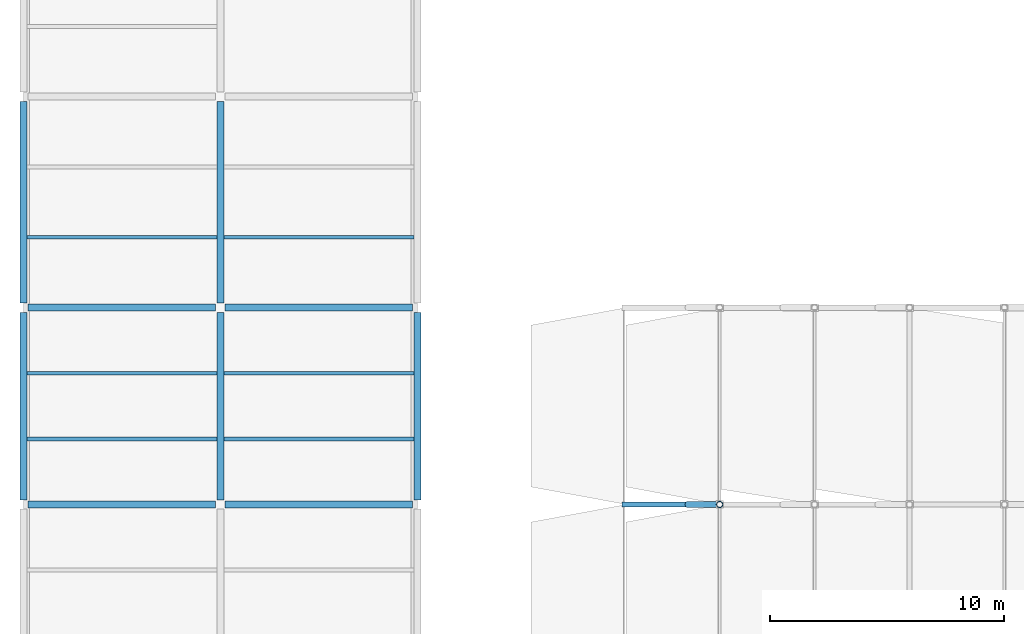
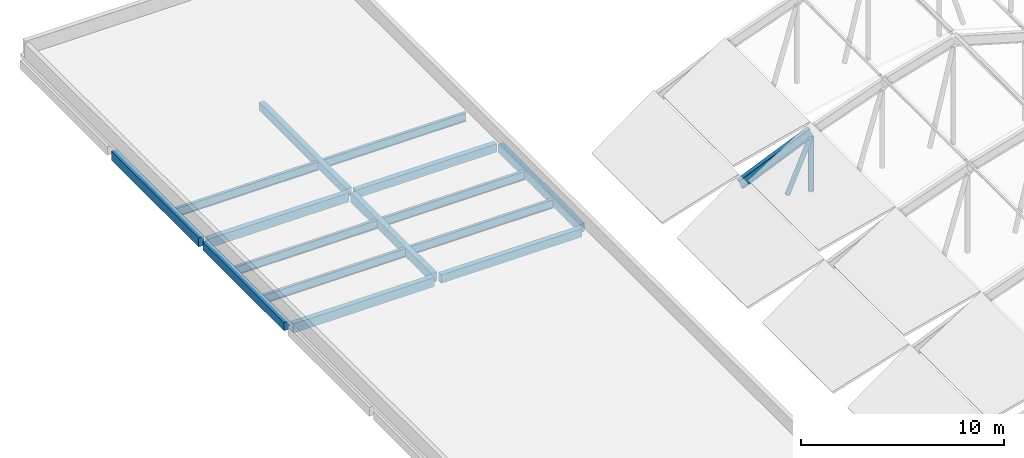
# One storey, part 7 of 22: 16 beams, 2 members.
"""IFC4 building model written with IfcOpenShell, lengths in metres."""

from ifc_helpers import new_model, si_unit, direction, frame, origin, origin_2d, place, context, subcontext, project, spatial, rectangle, hollow_circle, i_section, extrude, material, material_profile, profile_set, type_object, element, save


model = new_model("IFC4")

# Units and contexts
model_context = context("Model", 3, precision=1e-05, world=origin(), true_north=direction((0.0, 1.0)))
body_context = subcontext(model_context, "Body", "Model", "MODEL_VIEW")
ifc_project = project(units=[si_unit("LENGTHUNIT", "METRE"), si_unit("AREAUNIT", "SQUARE_METRE"), si_unit("VOLUMEUNIT", "CUBIC_METRE"), si_unit("PLANEANGLEUNIT", "RADIAN"), si_unit("MASSUNIT", "GRAM", prefix="KILO")], contexts=[model_context])

# Site, building, storey
site_placement = place(None, origin())
site = spatial("IfcSite", under=ifc_project, at=site_placement, CompositionType="ELEMENT")
building_placement = place(site_placement, origin())
building = spatial("IfcBuilding", under=site, at=building_placement, Name="Vireocrest Preparatory School", CompositionType="ELEMENT")
storey_placement = place(building_placement, frame((0.0, 0.0, 25.800048828125)))
storey = spatial("IfcBuildingStorey", under=building, at=storey_placement, Name="RF", CompositionType="ELEMENT", Elevation=25.800048828125)

# Beams
ifc_material_1 = material(Name="Structural steel ASTM A992 Grade 50", Category="steel")
ifc_material_profile_1 = material_profile(ifc_material_1, i_section(OverallWidth=0.22802734375, OverallDepth=0.60302734375, WebThickness=0.010498046875, FlangeThickness=0.014892578125, FilletRadius=0.01611328125, at=origin_2d()), Name="W24X68")
ifc_profile_set_1 = profile_set([ifc_material_profile_1], Name="Structural steel ASTM A992 Grade 50")
beam_type_1 = type_object("IfcBeamType", Name="Dining Pavilion Roof Girder W24X68", PredefinedType="BEAM", material=ifc_profile_set_1)
beam_1_placement = place(storey_placement, frame((67.64990234375, 77.39990234375, -0.8056640625), z_axis=(0.918795164694, 0.0, 0.394734651804), x_axis=(0.0, 1.0, 0.0)))
element("IfcBeam", 1, at=beam_1_placement, inside=storey, type_object=beam_type_1, Name="Canopy Rafter Chord SB4-7-2", PredefinedType="BEAM", context=body_context, shape_type="SweptSolid", body=[
    extrude(i_section(OverallWidth=0.22802734375, OverallDepth=0.60302734375, WebThickness=0.010498046875, FlangeThickness=0.014892578125, FilletRadius=0.01611328125, at=origin_2d()), origin(), (0.0, 0.0, 1.0), 4.407958984375),
])
ifc_material_profile_2 = material_profile(ifc_material_1, i_section(OverallWidth=0.166015625, OverallDepth=0.529052734375, WebThickness=0.009765625, FlangeThickness=0.013671875, FilletRadius=0.014892578125, at=origin_2d()), Name="W21X50")
ifc_profile_set_2 = profile_set([ifc_material_profile_2], Name="Structural steel ASTM A992 Grade 50")
beam_type_2 = type_object("IfcBeamType", Name="Pavilion Roof Joist W21X50", PredefinedType="JOIST", material=ifc_profile_set_2)
for number, where, z_axis, x_axis, name in (
    (2, (42.14990234375, 80.199951171875, -0.484619140625), (1.0, 0.0, 0.0), (0.0, 1.0, 0.0), "Secondary Joist SJ1 RF-1733"),
    (3, (42.14990234375, 83.0, -0.484619140625), (1.0, 0.0, 0.0), (0.0, 1.0, 0.0), "Secondary Joist SJ1 RF-1734"),
    (4, (42.14990234375, 88.800048828125, -0.484619140625), (1.0, 0.0, 0.0), (0.0, 1.0, 0.0), "Secondary Joist SJ1 RF-1735"),
):
    element("IfcBeam", number, at=place(storey_placement, frame(where, z_axis=z_axis, x_axis=x_axis)), inside=storey, type_object=beam_type_2, Name=name, PredefinedType="JOIST", context=body_context, shape_type="SweptSolid", body=[
        extrude(i_section(OverallWidth=0.166015625, OverallDepth=0.529052734375, WebThickness=0.009765625, FlangeThickness=0.013671875, FilletRadius=0.014892578125, at=origin_2d()), origin(), (0.0, 0.0, 1.0), 8.10009765625),
    ])
for number, where, z_axis, x_axis, name in (
    (5, (50.550048828125, 80.199951171875, -0.484619140625), (1.0, 0.0, 0.0), (0.0, 1.0, 0.0), "Secondary Joist SJ1 RF-1745"),
    (6, (50.550048828125, 83.0, -0.484619140625), (1.0, 0.0, 0.0), (0.0, 1.0, 0.0), "Secondary Joist SJ1 RF-1746"),
    (7, (50.550048828125, 88.800048828125, -0.484619140625), (1.0, 0.0, 0.0), (0.0, 1.0, 0.0), "Secondary Joist SJ1 RF-1747"),
):
    element("IfcBeam", number, at=place(storey_placement, frame(where, z_axis=z_axis, x_axis=x_axis)), inside=storey, type_object=beam_type_2, Name=name, PredefinedType="JOIST", context=body_context, shape_type="SweptSolid", body=[
        extrude(i_section(OverallWidth=0.166015625, OverallDepth=0.529052734375, WebThickness=0.009765625, FlangeThickness=0.013671875, FilletRadius=0.014892578125, at=origin_2d()), origin(), (0.0, 0.0, 1.0), 8.099853515625),
    ])
ifc_material_2 = material(Name="Concrete 40 MPa", Category="concrete")
ifc_material_profile_3 = material_profile(ifc_material_2, rectangle(XDim=0.300048828125, YDim=0.5, at=origin_2d()), Name="RC 300x500")
ifc_profile_set_3 = profile_set([ifc_material_profile_3], Name="Concrete 40 MPa")
beam_type_3 = type_object("IfcBeamType", Name="RC Roof Edge Beam 300x500", PredefinedType="BEAM", material=ifc_profile_set_3)
for number, where, z_axis, x_axis, name in (
    (8, (50.60009765625, 77.39990234375, -0.469970703125), (1.0, 0.0, 0.0), (0.0, 1.0, 0.0), "Primary Girder B01 RF-1693"),
    (9, (50.60009765625, 85.800048828125, -0.469970703125), (1.0, 0.0, 0.0), (0.0, 1.0, 0.0), "Primary Girder B01 RF-1695"),
    (10, (42.0, 77.60009765625, -0.469970703125), (0.0, 1.0, 0.0), (-1.0, 0.0, 0.0), "Primary Girder B01 RF-1704"),
):
    element("IfcBeam", number, at=place(storey_placement, frame(where, z_axis=z_axis, x_axis=x_axis)), inside=storey, type_object=beam_type_3, Name=name, PredefinedType="BEAM", context=body_context, shape_type="SweptSolid", body=[
        extrude(rectangle(XDim=0.300048828125, YDim=0.5, at=origin_2d()), origin(), (0.0, 0.0, 1.0), 8.0),
    ])
beam_2_placement = place(storey_placement, frame((50.39990234375, 86.0, -0.469970703125), z_axis=(0.0, 1.0, 0.0), x_axis=(-1.0, 0.0, 0.0)))
element("IfcBeam", 11, at=beam_2_placement, inside=storey, type_object=beam_type_3, Name="Primary Girder B01 RF-1712", PredefinedType="BEAM", context=body_context, shape_type="SweptSolid", body=[
    extrude(rectangle(XDim=0.300048828125, YDim=0.5, at=origin_2d()), origin(), (0.0, 0.0, 1.0), 8.60009765625),
])
beam_3_placement = place(storey_placement, frame((58.800048828125, 77.60009765625, -0.469970703125), z_axis=(0.0, 1.0, 0.0), x_axis=(-1.0, 0.0, 0.0)))
element("IfcBeam", 12, at=beam_3_placement, inside=storey, type_object=beam_type_3, Name="Primary Girder B01 RF-1718", PredefinedType="BEAM", context=body_context, shape_type="SweptSolid", body=[
    extrude(rectangle(XDim=0.300048828125, YDim=0.5, at=origin_2d()), origin(), (0.0, 0.0, 1.0), 8.0),
])
ifc_material_profile_4 = material_profile(ifc_material_2, rectangle(XDim=0.300048828125, YDim=0.550048828125, at=origin_2d()), Name="RC 300x550")
ifc_profile_set_4 = profile_set([ifc_material_profile_4], Name="Concrete 40 MPa")
beam_type_4 = type_object("IfcBeamType", Name="RC Roof Girder 300x550", PredefinedType="BEAM", material=ifc_profile_set_4)
for number, where, z_axis, x_axis, name in (
    (13, (42.199951171875, 77.39990234375, -0.4951171875), (1.0, 0.0, 0.0), (0.0, 1.0, 0.0), "Primary Girder B02 RF-1692"),
    (14, (42.199951171875, 85.800048828125, -0.4951171875), (1.0, 0.0, 0.0), (0.0, 1.0, 0.0), "Primary Girder B02 RF-1694"),
):
    element("IfcBeam", number, at=place(storey_placement, frame(where, z_axis=z_axis, x_axis=x_axis)), inside=storey, type_object=beam_type_4, Name=name, PredefinedType="BEAM", context=body_context, shape_type="SweptSolid", body=[
        extrude(rectangle(XDim=0.300048828125, YDim=0.550048828125, at=origin_2d()), origin(), (0.0, 0.0, 1.0), 8.0),
    ])
beam_4_placement = place(storey_placement, frame((42.0, 86.0, -0.4951171875), z_axis=(0.0, 1.0, 0.0), x_axis=(-1.0, 0.0, 0.0)))
element("IfcBeam", 15, at=beam_4_placement, inside=storey, type_object=beam_type_4, Name="Primary Girder B02 RF-1705", PredefinedType="BEAM", context=body_context, shape_type="SweptSolid", body=[
    extrude(rectangle(XDim=0.300048828125, YDim=0.550048828125, at=origin_2d()), origin(), (0.0, 0.0, 1.0), 8.60009765625),
])
beam_5_placement = place(storey_placement, frame((50.39990234375, 77.60009765625, -0.4951171875), z_axis=(0.0, 1.0, 0.0), x_axis=(-1.0, 0.0, 0.0)))
element("IfcBeam", 16, at=beam_5_placement, inside=storey, type_object=beam_type_4, Name="Primary Girder B02 RF-1711", PredefinedType="BEAM", context=body_context, shape_type="SweptSolid", body=[
    extrude(rectangle(XDim=0.300048828125, YDim=0.550048828125, at=origin_2d()), origin(), (0.0, 0.0, 1.0), 8.0),
])

# Members
ifc_material_3 = material(Name="Painted white steel ASTM A500 Grade C", Category="steel")
ifc_material_profile_5 = material_profile(ifc_material_3, hollow_circle(Radius=0.136474609375, WallThickness=0.0126953125, at=origin_2d()), Name="HSS10.750X0.500")
ifc_profile_set_5 = profile_set([ifc_material_profile_5], Name="Painted white steel ASTM A500 Grade C")
member_type = type_object("IfcMemberType", Name="White Steel Clerestory Strut HSS10.750X0.500", PredefinedType="USERDEFINED", material=ifc_profile_set_5)
member_1_placement = place(storey_placement, frame((71.699951171875, 77.39990234375, -2.62255859375), z_axis=(0.0, 0.0, 1.0), x_axis=(1.0, 0.0, 0.0)))
element("IfcMember", 17, at=member_1_placement, inside=storey, type_object=member_type, Name="Canopy Truss Web Vertical VS3-7-3", ObjectType="STRUT", PredefinedType="USERDEFINED", context=body_context, shape_type="SweptSolid", body=[
    extrude(hollow_circle(Radius=0.136474609375, WallThickness=0.0126953125, at=origin_2d()), origin(), (0.0, 0.0, 1.0), 3.280517578125),
])
member_2_placement = place(storey_placement, frame((70.35009765625, 77.39990234375, -2.385009765625), z_axis=(0.405491921788, 0.0, 0.91409862781), x_axis=(0.0, 1.0, 0.0)))
element("IfcMember", 18, at=member_2_placement, inside=storey, type_object=member_type, Name="Canopy Truss Web Strut VS3-7-2", ObjectType="STRUT", PredefinedType="USERDEFINED", context=body_context, shape_type="SweptSolid", body=[
    extrude(hollow_circle(Radius=0.136474609375, WallThickness=0.0126953125, at=origin_2d()), origin(), (0.0, 0.0, 1.0), 3.328857421875),
])

save(model, "model.ifc")
